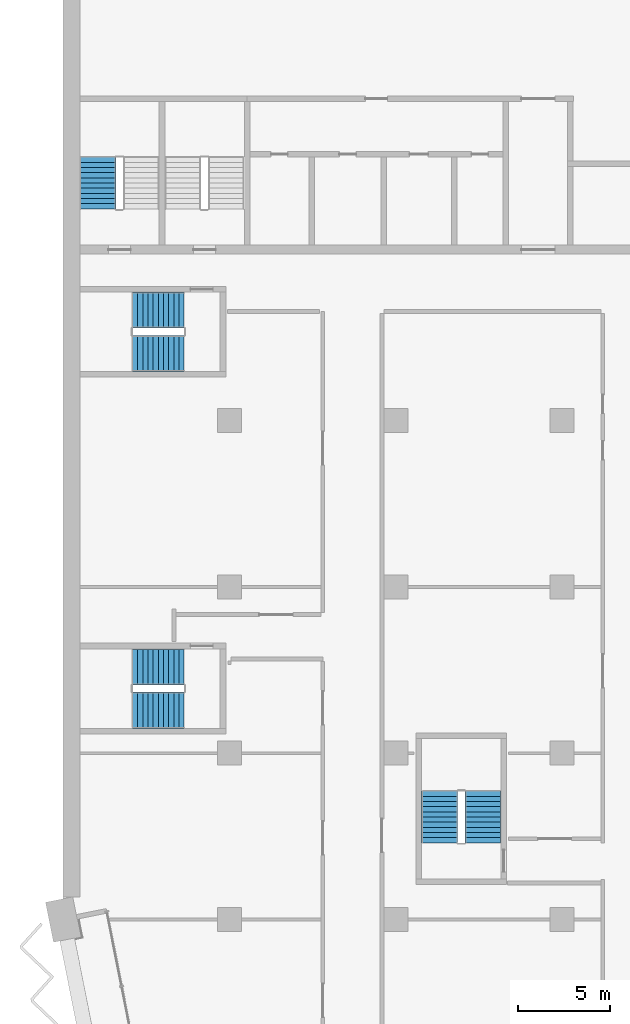
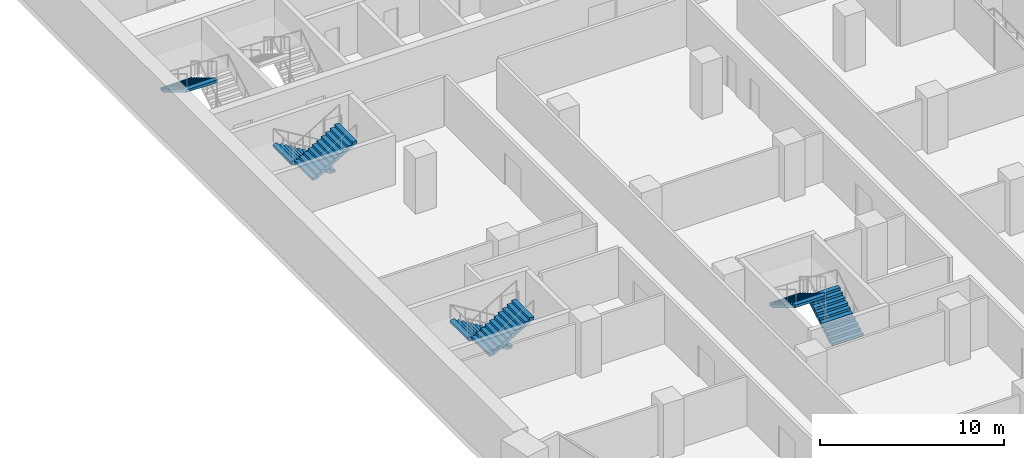
# One storey, part 15 of 22: 7 stair flights, 4 elements without a shape of their own.
"""IFC4 building model written with IfcOpenShell, lengths in metres."""

from ifc_helpers import new_model, si_unit, direction, frame, origin, place, context, subcontext, project, spatial, polyline, outline, extrude, material, type_object, element, aggregate, save


model = new_model("IFC4")

# Units and contexts
model_context = context("Model", 3, precision=1e-05, world=origin(), true_north=direction((0.0, 1.0)))
body_context = subcontext(model_context, "Body", "Model", "MODEL_VIEW")
ifc_project = project(units=[si_unit("LENGTHUNIT", "METRE"), si_unit("AREAUNIT", "SQUARE_METRE"), si_unit("VOLUMEUNIT", "CUBIC_METRE"), si_unit("PLANEANGLEUNIT", "RADIAN"), si_unit("MASSUNIT", "GRAM", prefix="KILO")], contexts=[model_context])

# Site, building, storey
site_placement = place(None, origin())
site = spatial("IfcSite", under=ifc_project, at=site_placement, CompositionType="ELEMENT")
building_placement = place(site_placement, origin())
building = spatial("IfcBuilding", under=site, at=building_placement, Name="Hunhe Ridgeline Campus", CompositionType="ELEMENT")
storey_placement = place(building_placement, frame((0.0, 0.0, 118.10009765625)))
storey = spatial("IfcBuildingStorey", under=building, at=storey_placement, Name="L29", CompositionType="ELEMENT", Elevation=118.10009765625)

# Stair, stair flight
ifc_material = material(Name="Concrete C40", Category="concrete")
stair_type = type_object("IfcStairType", Name="Reinforced concrete dog-leg stair 1950 Concrete C40", PredefinedType="HALF_TURN_STAIR", material=ifc_material)
stair_1_placement = place(storey_placement, origin())
stair_1 = element("IfcStair", 1, at=stair_1_placement, inside=storey, type_object=stair_type, Name="L29 S3", PredefinedType="HALF_TURN_STAIR")
stair_flight_type = type_object("IfcStairFlightType", Name="Reinforced concrete stair flight 1950 Concrete C40", PredefinedType="STRAIGHT", material=ifc_material)
stair_flight_1_placement = place(storey_placement, frame((1.875, 68.25, 1.849853515625), z_axis=(0.0, 0.0, 1.0), x_axis=(0.0, -1.0, 0.0)))
stair_flight_1 = element("IfcStairFlight", 2, at=stair_flight_1_placement, type_object=stair_flight_type, Name="ST3 flight 2", NumberOfRisers=11, NumberOfTreads=10, PredefinedType="STRAIGHT", RiserHeight=0.168181818, TreadLength=0.28, context=body_context, shape_type="SweptSolid", body=[
    extrude(outline(polyline([(0.0, 0.0), (0.0, 0.168212890625), (0.280029296875, 0.168212890625), (0.280029296875, 0.33642578125), (0.56005859375, 0.33642578125), (0.56005859375, 0.504638671875), (0.840087890625, 0.504638671875), (0.840087890625, 0.672607421875), (1.1201171875, 0.672607421875), (1.1201171875, 0.8408203125), (1.39990234375, 0.8408203125), (1.39990234375, 1.009033203125), (1.679931640625, 1.009033203125), (1.679931640625, 1.17724609375), (1.9599609375, 1.17724609375), (1.9599609375, 1.345458984375), (2.239990234375, 1.345458984375), (2.239990234375, 1.513671875), (2.52001953125, 1.513671875), (2.52001953125, 1.681884765625), (2.800048828125, 1.681884765625), (2.800048828125, 1.85009765625), (2.800048828125, 1.5068359375), (0.291015625, 0.0), (0.0, 0.0)])), frame((0.0, 0.97509765625, 0.0), z_axis=(0.0, -1.0, 0.0), x_axis=(1.0, 0.0, 0.0)), (0.0, 0.0, 1.0), 1.949951171875),
    extrude(outline(polyline([(0.030029296875, 0.030029296875), (0.030029296875, 0.13818359375), (0.31005859375, 0.13818359375), (0.31005859375, 0.306396484375), (0.590087890625, 0.306396484375), (0.590087890625, 0.474609375), (0.8701171875, 0.474609375), (0.8701171875, 0.642578125), (1.14990234375, 0.642578125), (1.14990234375, 0.810791015625), (1.429931640625, 0.810791015625), (1.429931640625, 0.97900390625), (1.7099609375, 0.97900390625), (1.7099609375, 1.147216796875), (1.989990234375, 1.147216796875), (1.989990234375, 1.3154296875), (2.27001953125, 1.3154296875), (2.27001953125, 1.483642578125), (2.550048828125, 1.483642578125), (2.550048828125, 1.65185546875), (2.77001953125, 1.65185546875), (2.77001953125, 1.52392578125), (0.28271484375, 0.030029296875), (0.030029296875, 0.030029296875)])), frame((0.0, -0.070068359375, 0.0), z_axis=(0.0, -1.0, 0.0), x_axis=(1.0, 0.0, 0.0)), (0.0, 0.0, 1.0), 0.019775390625),
    extrude(outline(polyline([(0.030029296875, 0.030029296875), (0.030029296875, 0.13818359375), (0.31005859375, 0.13818359375), (0.31005859375, 0.306396484375), (0.590087890625, 0.306396484375), (0.590087890625, 0.474609375), (0.8701171875, 0.474609375), (0.8701171875, 0.642578125), (1.14990234375, 0.642578125), (1.14990234375, 0.810791015625), (1.429931640625, 0.810791015625), (1.429931640625, 0.97900390625), (1.7099609375, 0.97900390625), (1.7099609375, 1.147216796875), (1.989990234375, 1.147216796875), (1.989990234375, 1.3154296875), (2.27001953125, 1.3154296875), (2.27001953125, 1.483642578125), (2.550048828125, 1.483642578125), (2.550048828125, 1.65185546875), (2.77001953125, 1.65185546875), (2.77001953125, 1.52392578125), (0.28271484375, 0.030029296875), (0.030029296875, 0.030029296875)])), frame((0.0, 0.010009765625, 0.0), z_axis=(0.0, -1.0, 0.0), x_axis=(1.0, 0.0, 0.0)), (0.0, 0.0, 1.0), 0.019775390625),
    extrude(outline(polyline([(0.030029296875, 0.030029296875), (0.030029296875, 0.13818359375), (0.31005859375, 0.13818359375), (0.31005859375, 0.306396484375), (0.590087890625, 0.306396484375), (0.590087890625, 0.474609375), (0.8701171875, 0.474609375), (0.8701171875, 0.642578125), (1.14990234375, 0.642578125), (1.14990234375, 0.810791015625), (1.429931640625, 0.810791015625), (1.429931640625, 0.97900390625), (1.7099609375, 0.97900390625), (1.7099609375, 1.147216796875), (1.989990234375, 1.147216796875), (1.989990234375, 1.3154296875), (2.27001953125, 1.3154296875), (2.27001953125, 1.483642578125), (2.550048828125, 1.483642578125), (2.550048828125, 1.65185546875), (2.77001953125, 1.65185546875), (2.77001953125, 1.52392578125), (0.28271484375, 0.030029296875), (0.030029296875, 0.030029296875)])), frame((0.0, 0.090087890625, 0.0), z_axis=(0.0, -1.0, 0.0), x_axis=(1.0, 0.0, 0.0)), (0.0, 0.0, 1.0), 0.019775390625),
])
aggregate(stair_1, [stair_flight_1])

# Stair, stair flights
stair_2_placement = place(storey_placement, origin())
stair_2 = element("IfcStair", 3, at=stair_2_placement, inside=storey, type_object=stair_type, Name="L29 W3", PredefinedType="HALF_TURN_STAIR")
stair_flight_2_placement = place(storey_placement, frame((22.72509765625, 31.14990234375, 0.0), z_axis=(0.0, 0.0, 1.0), x_axis=(0.0, 1.0, 0.0)))
stair_flight_2 = element("IfcStairFlight", 4, at=stair_flight_2_placement, type_object=stair_flight_type, Name="ST9 flight 1", NumberOfRisers=11, NumberOfTreads=10, PredefinedType="STRAIGHT", RiserHeight=0.168181818, TreadLength=0.28, context=body_context, shape_type="SweptSolid", body=[
    extrude(outline(polyline([(0.0, 0.0), (0.0, 0.168212890625), (0.280029296875, 0.168212890625), (0.280029296875, 0.33642578125), (0.56005859375, 0.33642578125), (0.56005859375, 0.504638671875), (0.840087890625, 0.504638671875), (0.840087890625, 0.672607421875), (1.1201171875, 0.672607421875), (1.1201171875, 0.8408203125), (1.39990234375, 0.8408203125), (1.39990234375, 1.009033203125), (1.679931640625, 1.009033203125), (1.679931640625, 1.17724609375), (1.9599609375, 1.17724609375), (1.9599609375, 1.345458984375), (2.239990234375, 1.345458984375), (2.239990234375, 1.513671875), (2.52001953125, 1.513671875), (2.52001953125, 1.681884765625), (2.800048828125, 1.681884765625), (2.800048828125, 1.85009765625), (2.800048828125, 1.5068359375), (0.291015625, 0.0), (0.0, 0.0)])), frame((0.0, 0.97509765625, 0.0), z_axis=(0.0, -1.0, 0.0), x_axis=(1.0, 0.0, 0.0)), (0.0, 0.0, 1.0), 1.949951171875),
    extrude(outline(polyline([(0.030029296875, 0.030029296875), (0.030029296875, 0.13818359375), (0.31005859375, 0.13818359375), (0.31005859375, 0.306396484375), (0.590087890625, 0.306396484375), (0.590087890625, 0.474609375), (0.8701171875, 0.474609375), (0.8701171875, 0.642578125), (1.14990234375, 0.642578125), (1.14990234375, 0.810791015625), (1.429931640625, 0.810791015625), (1.429931640625, 0.97900390625), (1.7099609375, 0.97900390625), (1.7099609375, 1.147216796875), (1.989990234375, 1.147216796875), (1.989990234375, 1.3154296875), (2.27001953125, 1.3154296875), (2.27001953125, 1.483642578125), (2.550048828125, 1.483642578125), (2.550048828125, 1.65185546875), (2.77001953125, 1.65185546875), (2.77001953125, 1.52392578125), (0.28271484375, 0.030029296875), (0.030029296875, 0.030029296875)])), frame((0.0, -0.070068359375, 0.0), z_axis=(0.0, -1.0, 0.0), x_axis=(1.0, 0.0, 0.0)), (0.0, 0.0, 1.0), 0.019775390625),
    extrude(outline(polyline([(0.030029296875, 0.030029296875), (0.030029296875, 0.13818359375), (0.31005859375, 0.13818359375), (0.31005859375, 0.306396484375), (0.590087890625, 0.306396484375), (0.590087890625, 0.474609375), (0.8701171875, 0.474609375), (0.8701171875, 0.642578125), (1.14990234375, 0.642578125), (1.14990234375, 0.810791015625), (1.429931640625, 0.810791015625), (1.429931640625, 0.97900390625), (1.7099609375, 0.97900390625), (1.7099609375, 1.147216796875), (1.989990234375, 1.147216796875), (1.989990234375, 1.3154296875), (2.27001953125, 1.3154296875), (2.27001953125, 1.483642578125), (2.550048828125, 1.483642578125), (2.550048828125, 1.65185546875), (2.77001953125, 1.65185546875), (2.77001953125, 1.52392578125), (0.28271484375, 0.030029296875), (0.030029296875, 0.030029296875)])), frame((0.0, 0.010009765625, 0.0), z_axis=(0.0, -1.0, 0.0), x_axis=(1.0, 0.0, 0.0)), (0.0, 0.0, 1.0), 0.019775390625),
    extrude(outline(polyline([(0.030029296875, 0.030029296875), (0.030029296875, 0.13818359375), (0.31005859375, 0.13818359375), (0.31005859375, 0.306396484375), (0.590087890625, 0.306396484375), (0.590087890625, 0.474609375), (0.8701171875, 0.474609375), (0.8701171875, 0.642578125), (1.14990234375, 0.642578125), (1.14990234375, 0.810791015625), (1.429931640625, 0.810791015625), (1.429931640625, 0.97900390625), (1.7099609375, 0.97900390625), (1.7099609375, 1.147216796875), (1.989990234375, 1.147216796875), (1.989990234375, 1.3154296875), (2.27001953125, 1.3154296875), (2.27001953125, 1.483642578125), (2.550048828125, 1.483642578125), (2.550048828125, 1.65185546875), (2.77001953125, 1.65185546875), (2.77001953125, 1.52392578125), (0.28271484375, 0.030029296875), (0.030029296875, 0.030029296875)])), frame((0.0, 0.090087890625, 0.0), z_axis=(0.0, -1.0, 0.0), x_axis=(1.0, 0.0, 0.0)), (0.0, 0.0, 1.0), 0.019775390625),
])
stair_flight_3_placement = place(storey_placement, frame((20.375, 33.949951171875, 1.849853515625), z_axis=(0.0, 0.0, 1.0), x_axis=(0.0, -1.0, 0.0)))
stair_flight_3 = element("IfcStairFlight", 5, at=stair_flight_3_placement, type_object=stair_flight_type, Name="ST9 flight 2", NumberOfRisers=11, NumberOfTreads=10, PredefinedType="STRAIGHT", RiserHeight=0.168181818, TreadLength=0.28, context=body_context, shape_type="SweptSolid", body=[
    extrude(outline(polyline([(0.0, 0.0), (0.0, 0.168212890625), (0.280029296875, 0.168212890625), (0.280029296875, 0.33642578125), (0.56005859375, 0.33642578125), (0.56005859375, 0.504638671875), (0.840087890625, 0.504638671875), (0.840087890625, 0.672607421875), (1.1201171875, 0.672607421875), (1.1201171875, 0.8408203125), (1.39990234375, 0.8408203125), (1.39990234375, 1.009033203125), (1.679931640625, 1.009033203125), (1.679931640625, 1.17724609375), (1.9599609375, 1.17724609375), (1.9599609375, 1.345458984375), (2.239990234375, 1.345458984375), (2.239990234375, 1.513671875), (2.52001953125, 1.513671875), (2.52001953125, 1.681884765625), (2.800048828125, 1.681884765625), (2.800048828125, 1.85009765625), (2.800048828125, 1.5068359375), (0.291015625, 0.0), (0.0, 0.0)])), frame((0.0, 0.97509765625, 0.0), z_axis=(0.0, -1.0, 0.0), x_axis=(1.0, 0.0, 0.0)), (0.0, 0.0, 1.0), 1.949951171875),
    extrude(outline(polyline([(0.030029296875, 0.030029296875), (0.030029296875, 0.13818359375), (0.31005859375, 0.13818359375), (0.31005859375, 0.306396484375), (0.590087890625, 0.306396484375), (0.590087890625, 0.474609375), (0.8701171875, 0.474609375), (0.8701171875, 0.642578125), (1.14990234375, 0.642578125), (1.14990234375, 0.810791015625), (1.429931640625, 0.810791015625), (1.429931640625, 0.97900390625), (1.7099609375, 0.97900390625), (1.7099609375, 1.147216796875), (1.989990234375, 1.147216796875), (1.989990234375, 1.3154296875), (2.27001953125, 1.3154296875), (2.27001953125, 1.483642578125), (2.550048828125, 1.483642578125), (2.550048828125, 1.65185546875), (2.77001953125, 1.65185546875), (2.77001953125, 1.52392578125), (0.28271484375, 0.030029296875), (0.030029296875, 0.030029296875)])), frame((0.0, -0.070068359375, 0.0), z_axis=(0.0, -1.0, 0.0), x_axis=(1.0, 0.0, 0.0)), (0.0, 0.0, 1.0), 0.019775390625),
    extrude(outline(polyline([(0.030029296875, 0.030029296875), (0.030029296875, 0.13818359375), (0.31005859375, 0.13818359375), (0.31005859375, 0.306396484375), (0.590087890625, 0.306396484375), (0.590087890625, 0.474609375), (0.8701171875, 0.474609375), (0.8701171875, 0.642578125), (1.14990234375, 0.642578125), (1.14990234375, 0.810791015625), (1.429931640625, 0.810791015625), (1.429931640625, 0.97900390625), (1.7099609375, 0.97900390625), (1.7099609375, 1.147216796875), (1.989990234375, 1.147216796875), (1.989990234375, 1.3154296875), (2.27001953125, 1.3154296875), (2.27001953125, 1.483642578125), (2.550048828125, 1.483642578125), (2.550048828125, 1.65185546875), (2.77001953125, 1.65185546875), (2.77001953125, 1.52392578125), (0.28271484375, 0.030029296875), (0.030029296875, 0.030029296875)])), frame((0.0, 0.010009765625, 0.0), z_axis=(0.0, -1.0, 0.0), x_axis=(1.0, 0.0, 0.0)), (0.0, 0.0, 1.0), 0.019775390625),
    extrude(outline(polyline([(0.030029296875, 0.030029296875), (0.030029296875, 0.13818359375), (0.31005859375, 0.13818359375), (0.31005859375, 0.306396484375), (0.590087890625, 0.306396484375), (0.590087890625, 0.474609375), (0.8701171875, 0.474609375), (0.8701171875, 0.642578125), (1.14990234375, 0.642578125), (1.14990234375, 0.810791015625), (1.429931640625, 0.810791015625), (1.429931640625, 0.97900390625), (1.7099609375, 0.97900390625), (1.7099609375, 1.147216796875), (1.989990234375, 1.147216796875), (1.989990234375, 1.3154296875), (2.27001953125, 1.3154296875), (2.27001953125, 1.483642578125), (2.550048828125, 1.483642578125), (2.550048828125, 1.65185546875), (2.77001953125, 1.65185546875), (2.77001953125, 1.52392578125), (0.28271484375, 0.030029296875), (0.030029296875, 0.030029296875)])), frame((0.0, 0.090087890625, 0.0), z_axis=(0.0, -1.0, 0.0), x_axis=(1.0, 0.0, 0.0)), (0.0, 0.0, 1.0), 0.019775390625),
])
aggregate(stair_2, [stair_flight_2, stair_flight_3])

stair_3_placement = place(storey_placement, origin())
stair_3 = element("IfcStair", 6, at=stair_3_placement, inside=storey, type_object=stair_type, Name="L29 W1", PredefinedType="HALF_TURN_STAIR")
stair_flight_4_placement = place(storey_placement, frame((6.550048828125, 40.675048828125, 0.0), z_axis=(0.0, 0.0, 1.0), x_axis=(-1.0, 0.0, 0.0)))
stair_flight_4 = element("IfcStairFlight", 7, at=stair_flight_4_placement, type_object=stair_flight_type, Name="ST11 flight 1", NumberOfRisers=11, NumberOfTreads=10, PredefinedType="STRAIGHT", RiserHeight=0.168181818, TreadLength=0.28, context=body_context, shape_type="SweptSolid", body=[
    extrude(outline(polyline([(0.0, 0.0), (0.0, 0.168212890625), (0.280029296875, 0.168212890625), (0.280029296875, 0.33642578125), (0.56005859375, 0.33642578125), (0.56005859375, 0.504638671875), (0.840087890625, 0.504638671875), (0.840087890625, 0.672607421875), (1.1201171875, 0.672607421875), (1.1201171875, 0.8408203125), (1.39990234375, 0.8408203125), (1.39990234375, 1.009033203125), (1.679931640625, 1.009033203125), (1.679931640625, 1.17724609375), (1.9599609375, 1.17724609375), (1.9599609375, 1.345458984375), (2.239990234375, 1.345458984375), (2.239990234375, 1.513671875), (2.52001953125, 1.513671875), (2.52001953125, 1.681884765625), (2.800048828125, 1.681884765625), (2.800048828125, 1.85009765625), (2.800048828125, 1.5068359375), (0.291015625, 0.0), (0.0, 0.0)])), frame((0.0, 0.97509765625, 0.0), z_axis=(0.0, -1.0, 0.0), x_axis=(1.0, 0.0, 0.0)), (0.0, 0.0, 1.0), 1.949951171875),
    extrude(outline(polyline([(0.030029296875, 0.030029296875), (0.030029296875, 0.13818359375), (0.31005859375, 0.13818359375), (0.31005859375, 0.306396484375), (0.590087890625, 0.306396484375), (0.590087890625, 0.474609375), (0.8701171875, 0.474609375), (0.8701171875, 0.642578125), (1.14990234375, 0.642578125), (1.14990234375, 0.810791015625), (1.429931640625, 0.810791015625), (1.429931640625, 0.97900390625), (1.7099609375, 0.97900390625), (1.7099609375, 1.147216796875), (1.989990234375, 1.147216796875), (1.989990234375, 1.3154296875), (2.27001953125, 1.3154296875), (2.27001953125, 1.483642578125), (2.550048828125, 1.483642578125), (2.550048828125, 1.65185546875), (2.77001953125, 1.65185546875), (2.77001953125, 1.52392578125), (0.28271484375, 0.030029296875), (0.030029296875, 0.030029296875)])), frame((0.0, -0.070068359375, 0.0), z_axis=(0.0, -1.0, 0.0), x_axis=(1.0, 0.0, 0.0)), (0.0, 0.0, 1.0), 0.019775390625),
    extrude(outline(polyline([(0.030029296875, 0.030029296875), (0.030029296875, 0.13818359375), (0.31005859375, 0.13818359375), (0.31005859375, 0.306396484375), (0.590087890625, 0.306396484375), (0.590087890625, 0.474609375), (0.8701171875, 0.474609375), (0.8701171875, 0.642578125), (1.14990234375, 0.642578125), (1.14990234375, 0.810791015625), (1.429931640625, 0.810791015625), (1.429931640625, 0.97900390625), (1.7099609375, 0.97900390625), (1.7099609375, 1.147216796875), (1.989990234375, 1.147216796875), (1.989990234375, 1.3154296875), (2.27001953125, 1.3154296875), (2.27001953125, 1.483642578125), (2.550048828125, 1.483642578125), (2.550048828125, 1.65185546875), (2.77001953125, 1.65185546875), (2.77001953125, 1.52392578125), (0.28271484375, 0.030029296875), (0.030029296875, 0.030029296875)])), frame((0.0, 0.010009765625, 0.0), z_axis=(0.0, -1.0, 0.0), x_axis=(1.0, 0.0, 0.0)), (0.0, 0.0, 1.0), 0.019775390625),
    extrude(outline(polyline([(0.030029296875, 0.030029296875), (0.030029296875, 0.13818359375), (0.31005859375, 0.13818359375), (0.31005859375, 0.306396484375), (0.590087890625, 0.306396484375), (0.590087890625, 0.474609375), (0.8701171875, 0.474609375), (0.8701171875, 0.642578125), (1.14990234375, 0.642578125), (1.14990234375, 0.810791015625), (1.429931640625, 0.810791015625), (1.429931640625, 0.97900390625), (1.7099609375, 0.97900390625), (1.7099609375, 1.147216796875), (1.989990234375, 1.147216796875), (1.989990234375, 1.3154296875), (2.27001953125, 1.3154296875), (2.27001953125, 1.483642578125), (2.550048828125, 1.483642578125), (2.550048828125, 1.65185546875), (2.77001953125, 1.65185546875), (2.77001953125, 1.52392578125), (0.28271484375, 0.030029296875), (0.030029296875, 0.030029296875)])), frame((0.0, 0.090087890625, 0.0), z_axis=(0.0, -1.0, 0.0), x_axis=(1.0, 0.0, 0.0)), (0.0, 0.0, 1.0), 0.019775390625),
])
stair_flight_5_placement = place(storey_placement, frame((3.75, 38.324951171875, 1.849853515625), z_axis=(0.0, 0.0, 1.0), x_axis=(1.0, 0.0, 0.0)))
stair_flight_5 = element("IfcStairFlight", 8, at=stair_flight_5_placement, type_object=stair_flight_type, Name="ST11 flight 2", NumberOfRisers=11, NumberOfTreads=10, PredefinedType="STRAIGHT", RiserHeight=0.168181818, TreadLength=0.28, context=body_context, shape_type="SweptSolid", body=[
    extrude(outline(polyline([(0.0, 0.0), (0.0, 0.168212890625), (0.280029296875, 0.168212890625), (0.280029296875, 0.33642578125), (0.56005859375, 0.33642578125), (0.56005859375, 0.504638671875), (0.840087890625, 0.504638671875), (0.840087890625, 0.672607421875), (1.1201171875, 0.672607421875), (1.1201171875, 0.8408203125), (1.39990234375, 0.8408203125), (1.39990234375, 1.009033203125), (1.679931640625, 1.009033203125), (1.679931640625, 1.17724609375), (1.9599609375, 1.17724609375), (1.9599609375, 1.345458984375), (2.239990234375, 1.345458984375), (2.239990234375, 1.513671875), (2.52001953125, 1.513671875), (2.52001953125, 1.681884765625), (2.800048828125, 1.681884765625), (2.800048828125, 1.85009765625), (2.800048828125, 1.5068359375), (0.291015625, 0.0), (0.0, 0.0)])), frame((0.0, 0.97509765625, 0.0), z_axis=(0.0, -1.0, 0.0), x_axis=(1.0, 0.0, 0.0)), (0.0, 0.0, 1.0), 1.949951171875),
    extrude(outline(polyline([(0.030029296875, 0.030029296875), (0.030029296875, 0.13818359375), (0.31005859375, 0.13818359375), (0.31005859375, 0.306396484375), (0.590087890625, 0.306396484375), (0.590087890625, 0.474609375), (0.8701171875, 0.474609375), (0.8701171875, 0.642578125), (1.14990234375, 0.642578125), (1.14990234375, 0.810791015625), (1.429931640625, 0.810791015625), (1.429931640625, 0.97900390625), (1.7099609375, 0.97900390625), (1.7099609375, 1.147216796875), (1.989990234375, 1.147216796875), (1.989990234375, 1.3154296875), (2.27001953125, 1.3154296875), (2.27001953125, 1.483642578125), (2.550048828125, 1.483642578125), (2.550048828125, 1.65185546875), (2.77001953125, 1.65185546875), (2.77001953125, 1.52392578125), (0.28271484375, 0.030029296875), (0.030029296875, 0.030029296875)])), frame((0.0, -0.070068359375, 0.0), z_axis=(0.0, -1.0, 0.0), x_axis=(1.0, 0.0, 0.0)), (0.0, 0.0, 1.0), 0.019775390625),
    extrude(outline(polyline([(0.030029296875, 0.030029296875), (0.030029296875, 0.13818359375), (0.31005859375, 0.13818359375), (0.31005859375, 0.306396484375), (0.590087890625, 0.306396484375), (0.590087890625, 0.474609375), (0.8701171875, 0.474609375), (0.8701171875, 0.642578125), (1.14990234375, 0.642578125), (1.14990234375, 0.810791015625), (1.429931640625, 0.810791015625), (1.429931640625, 0.97900390625), (1.7099609375, 0.97900390625), (1.7099609375, 1.147216796875), (1.989990234375, 1.147216796875), (1.989990234375, 1.3154296875), (2.27001953125, 1.3154296875), (2.27001953125, 1.483642578125), (2.550048828125, 1.483642578125), (2.550048828125, 1.65185546875), (2.77001953125, 1.65185546875), (2.77001953125, 1.52392578125), (0.28271484375, 0.030029296875), (0.030029296875, 0.030029296875)])), frame((0.0, 0.010009765625, 0.0), z_axis=(0.0, -1.0, 0.0), x_axis=(1.0, 0.0, 0.0)), (0.0, 0.0, 1.0), 0.019775390625),
    extrude(outline(polyline([(0.030029296875, 0.030029296875), (0.030029296875, 0.13818359375), (0.31005859375, 0.13818359375), (0.31005859375, 0.306396484375), (0.590087890625, 0.306396484375), (0.590087890625, 0.474609375), (0.8701171875, 0.474609375), (0.8701171875, 0.642578125), (1.14990234375, 0.642578125), (1.14990234375, 0.810791015625), (1.429931640625, 0.810791015625), (1.429931640625, 0.97900390625), (1.7099609375, 0.97900390625), (1.7099609375, 1.147216796875), (1.989990234375, 1.147216796875), (1.989990234375, 1.3154296875), (2.27001953125, 1.3154296875), (2.27001953125, 1.483642578125), (2.550048828125, 1.483642578125), (2.550048828125, 1.65185546875), (2.77001953125, 1.65185546875), (2.77001953125, 1.52392578125), (0.28271484375, 0.030029296875), (0.030029296875, 0.030029296875)])), frame((0.0, 0.090087890625, 0.0), z_axis=(0.0, -1.0, 0.0), x_axis=(1.0, 0.0, 0.0)), (0.0, 0.0, 1.0), 0.019775390625),
])
aggregate(stair_3, [stair_flight_4, stair_flight_5])

stair_4_placement = place(storey_placement, origin())
stair_4 = element("IfcStair", 9, at=stair_4_placement, inside=storey, type_object=stair_type, Name="L29 W2", PredefinedType="HALF_TURN_STAIR")
stair_flight_6_placement = place(storey_placement, frame((6.550048828125, 59.97509765625, 0.0), z_axis=(0.0, 0.0, 1.0), x_axis=(-1.0, 0.0, 0.0)))
stair_flight_6 = element("IfcStairFlight", 10, at=stair_flight_6_placement, type_object=stair_flight_type, Name="ST12 flight 1", NumberOfRisers=11, NumberOfTreads=10, PredefinedType="STRAIGHT", RiserHeight=0.168181818, TreadLength=0.28, context=body_context, shape_type="SweptSolid", body=[
    extrude(outline(polyline([(0.0, 0.0), (0.0, 0.168212890625), (0.280029296875, 0.168212890625), (0.280029296875, 0.33642578125), (0.56005859375, 0.33642578125), (0.56005859375, 0.504638671875), (0.840087890625, 0.504638671875), (0.840087890625, 0.672607421875), (1.1201171875, 0.672607421875), (1.1201171875, 0.8408203125), (1.39990234375, 0.8408203125), (1.39990234375, 1.009033203125), (1.679931640625, 1.009033203125), (1.679931640625, 1.17724609375), (1.9599609375, 1.17724609375), (1.9599609375, 1.345458984375), (2.239990234375, 1.345458984375), (2.239990234375, 1.513671875), (2.52001953125, 1.513671875), (2.52001953125, 1.681884765625), (2.800048828125, 1.681884765625), (2.800048828125, 1.85009765625), (2.800048828125, 1.5068359375), (0.291015625, 0.0), (0.0, 0.0)])), frame((0.0, 0.97509765625, 0.0), z_axis=(0.0, -1.0, 0.0), x_axis=(1.0, 0.0, 0.0)), (0.0, 0.0, 1.0), 1.949951171875),
    extrude(outline(polyline([(0.030029296875, 0.030029296875), (0.030029296875, 0.13818359375), (0.31005859375, 0.13818359375), (0.31005859375, 0.306396484375), (0.590087890625, 0.306396484375), (0.590087890625, 0.474609375), (0.8701171875, 0.474609375), (0.8701171875, 0.642578125), (1.14990234375, 0.642578125), (1.14990234375, 0.810791015625), (1.429931640625, 0.810791015625), (1.429931640625, 0.97900390625), (1.7099609375, 0.97900390625), (1.7099609375, 1.147216796875), (1.989990234375, 1.147216796875), (1.989990234375, 1.3154296875), (2.27001953125, 1.3154296875), (2.27001953125, 1.483642578125), (2.550048828125, 1.483642578125), (2.550048828125, 1.65185546875), (2.77001953125, 1.65185546875), (2.77001953125, 1.52392578125), (0.28271484375, 0.030029296875), (0.030029296875, 0.030029296875)])), frame((0.0, -0.070068359375, 0.0), z_axis=(0.0, -1.0, 0.0), x_axis=(1.0, 0.0, 0.0)), (0.0, 0.0, 1.0), 0.019775390625),
    extrude(outline(polyline([(0.030029296875, 0.030029296875), (0.030029296875, 0.13818359375), (0.31005859375, 0.13818359375), (0.31005859375, 0.306396484375), (0.590087890625, 0.306396484375), (0.590087890625, 0.474609375), (0.8701171875, 0.474609375), (0.8701171875, 0.642578125), (1.14990234375, 0.642578125), (1.14990234375, 0.810791015625), (1.429931640625, 0.810791015625), (1.429931640625, 0.97900390625), (1.7099609375, 0.97900390625), (1.7099609375, 1.147216796875), (1.989990234375, 1.147216796875), (1.989990234375, 1.3154296875), (2.27001953125, 1.3154296875), (2.27001953125, 1.483642578125), (2.550048828125, 1.483642578125), (2.550048828125, 1.65185546875), (2.77001953125, 1.65185546875), (2.77001953125, 1.52392578125), (0.28271484375, 0.030029296875), (0.030029296875, 0.030029296875)])), frame((0.0, 0.010009765625, 0.0), z_axis=(0.0, -1.0, 0.0), x_axis=(1.0, 0.0, 0.0)), (0.0, 0.0, 1.0), 0.019775390625),
    extrude(outline(polyline([(0.030029296875, 0.030029296875), (0.030029296875, 0.13818359375), (0.31005859375, 0.13818359375), (0.31005859375, 0.306396484375), (0.590087890625, 0.306396484375), (0.590087890625, 0.474609375), (0.8701171875, 0.474609375), (0.8701171875, 0.642578125), (1.14990234375, 0.642578125), (1.14990234375, 0.810791015625), (1.429931640625, 0.810791015625), (1.429931640625, 0.97900390625), (1.7099609375, 0.97900390625), (1.7099609375, 1.147216796875), (1.989990234375, 1.147216796875), (1.989990234375, 1.3154296875), (2.27001953125, 1.3154296875), (2.27001953125, 1.483642578125), (2.550048828125, 1.483642578125), (2.550048828125, 1.65185546875), (2.77001953125, 1.65185546875), (2.77001953125, 1.52392578125), (0.28271484375, 0.030029296875), (0.030029296875, 0.030029296875)])), frame((0.0, 0.090087890625, 0.0), z_axis=(0.0, -1.0, 0.0), x_axis=(1.0, 0.0, 0.0)), (0.0, 0.0, 1.0), 0.019775390625),
])
stair_flight_7_placement = place(storey_placement, frame((3.75, 57.625, 1.849853515625), z_axis=(0.0, 0.0, 1.0), x_axis=(1.0, 0.0, 0.0)))
stair_flight_7 = element("IfcStairFlight", 11, at=stair_flight_7_placement, type_object=stair_flight_type, Name="ST12 flight 2", NumberOfRisers=11, NumberOfTreads=10, PredefinedType="STRAIGHT", RiserHeight=0.168181818, TreadLength=0.28, context=body_context, shape_type="SweptSolid", body=[
    extrude(outline(polyline([(0.0, 0.0), (0.0, 0.168212890625), (0.280029296875, 0.168212890625), (0.280029296875, 0.33642578125), (0.56005859375, 0.33642578125), (0.56005859375, 0.504638671875), (0.840087890625, 0.504638671875), (0.840087890625, 0.672607421875), (1.1201171875, 0.672607421875), (1.1201171875, 0.8408203125), (1.39990234375, 0.8408203125), (1.39990234375, 1.009033203125), (1.679931640625, 1.009033203125), (1.679931640625, 1.17724609375), (1.9599609375, 1.17724609375), (1.9599609375, 1.345458984375), (2.239990234375, 1.345458984375), (2.239990234375, 1.513671875), (2.52001953125, 1.513671875), (2.52001953125, 1.681884765625), (2.800048828125, 1.681884765625), (2.800048828125, 1.85009765625), (2.800048828125, 1.5068359375), (0.291015625, 0.0), (0.0, 0.0)])), frame((0.0, 0.97509765625, 0.0), z_axis=(0.0, -1.0, 0.0), x_axis=(1.0, 0.0, 0.0)), (0.0, 0.0, 1.0), 1.949951171875),
    extrude(outline(polyline([(0.030029296875, 0.030029296875), (0.030029296875, 0.13818359375), (0.31005859375, 0.13818359375), (0.31005859375, 0.306396484375), (0.590087890625, 0.306396484375), (0.590087890625, 0.474609375), (0.8701171875, 0.474609375), (0.8701171875, 0.642578125), (1.14990234375, 0.642578125), (1.14990234375, 0.810791015625), (1.429931640625, 0.810791015625), (1.429931640625, 0.97900390625), (1.7099609375, 0.97900390625), (1.7099609375, 1.147216796875), (1.989990234375, 1.147216796875), (1.989990234375, 1.3154296875), (2.27001953125, 1.3154296875), (2.27001953125, 1.483642578125), (2.550048828125, 1.483642578125), (2.550048828125, 1.65185546875), (2.77001953125, 1.65185546875), (2.77001953125, 1.52392578125), (0.28271484375, 0.030029296875), (0.030029296875, 0.030029296875)])), frame((0.0, -0.070068359375, 0.0), z_axis=(0.0, -1.0, 0.0), x_axis=(1.0, 0.0, 0.0)), (0.0, 0.0, 1.0), 0.019775390625),
    extrude(outline(polyline([(0.030029296875, 0.030029296875), (0.030029296875, 0.13818359375), (0.31005859375, 0.13818359375), (0.31005859375, 0.306396484375), (0.590087890625, 0.306396484375), (0.590087890625, 0.474609375), (0.8701171875, 0.474609375), (0.8701171875, 0.642578125), (1.14990234375, 0.642578125), (1.14990234375, 0.810791015625), (1.429931640625, 0.810791015625), (1.429931640625, 0.97900390625), (1.7099609375, 0.97900390625), (1.7099609375, 1.147216796875), (1.989990234375, 1.147216796875), (1.989990234375, 1.3154296875), (2.27001953125, 1.3154296875), (2.27001953125, 1.483642578125), (2.550048828125, 1.483642578125), (2.550048828125, 1.65185546875), (2.77001953125, 1.65185546875), (2.77001953125, 1.52392578125), (0.28271484375, 0.030029296875), (0.030029296875, 0.030029296875)])), frame((0.0, 0.010009765625, 0.0), z_axis=(0.0, -1.0, 0.0), x_axis=(1.0, 0.0, 0.0)), (0.0, 0.0, 1.0), 0.019775390625),
    extrude(outline(polyline([(0.030029296875, 0.030029296875), (0.030029296875, 0.13818359375), (0.31005859375, 0.13818359375), (0.31005859375, 0.306396484375), (0.590087890625, 0.306396484375), (0.590087890625, 0.474609375), (0.8701171875, 0.474609375), (0.8701171875, 0.642578125), (1.14990234375, 0.642578125), (1.14990234375, 0.810791015625), (1.429931640625, 0.810791015625), (1.429931640625, 0.97900390625), (1.7099609375, 0.97900390625), (1.7099609375, 1.147216796875), (1.989990234375, 1.147216796875), (1.989990234375, 1.3154296875), (2.27001953125, 1.3154296875), (2.27001953125, 1.483642578125), (2.550048828125, 1.483642578125), (2.550048828125, 1.65185546875), (2.77001953125, 1.65185546875), (2.77001953125, 1.52392578125), (0.28271484375, 0.030029296875), (0.030029296875, 0.030029296875)])), frame((0.0, 0.090087890625, 0.0), z_axis=(0.0, -1.0, 0.0), x_axis=(1.0, 0.0, 0.0)), (0.0, 0.0, 1.0), 0.019775390625),
])
aggregate(stair_4, [stair_flight_6, stair_flight_7])

save(model, "model.ifc")
